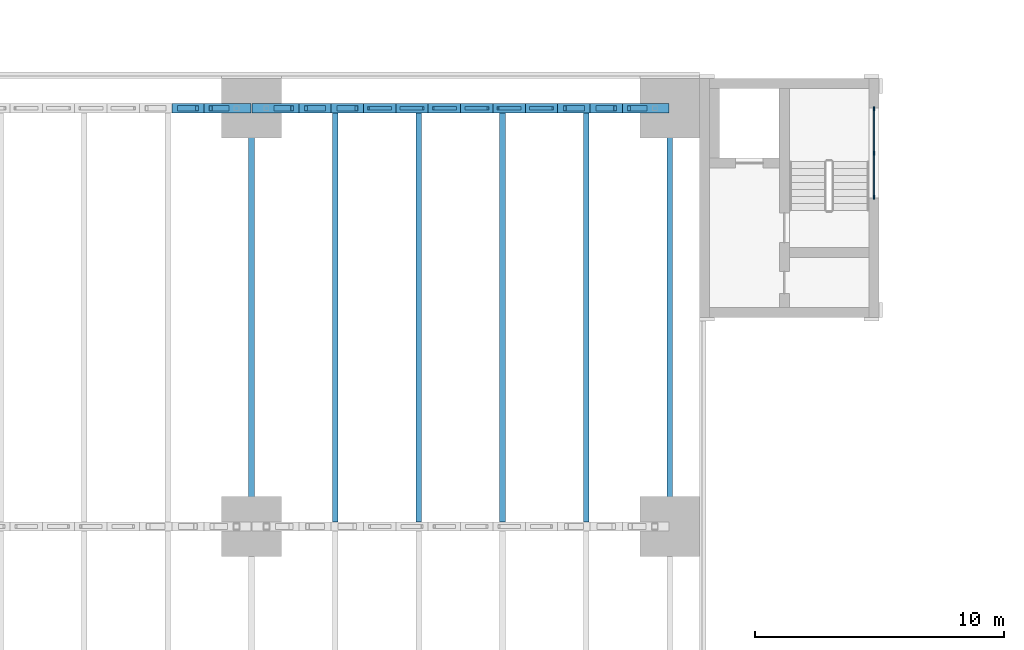
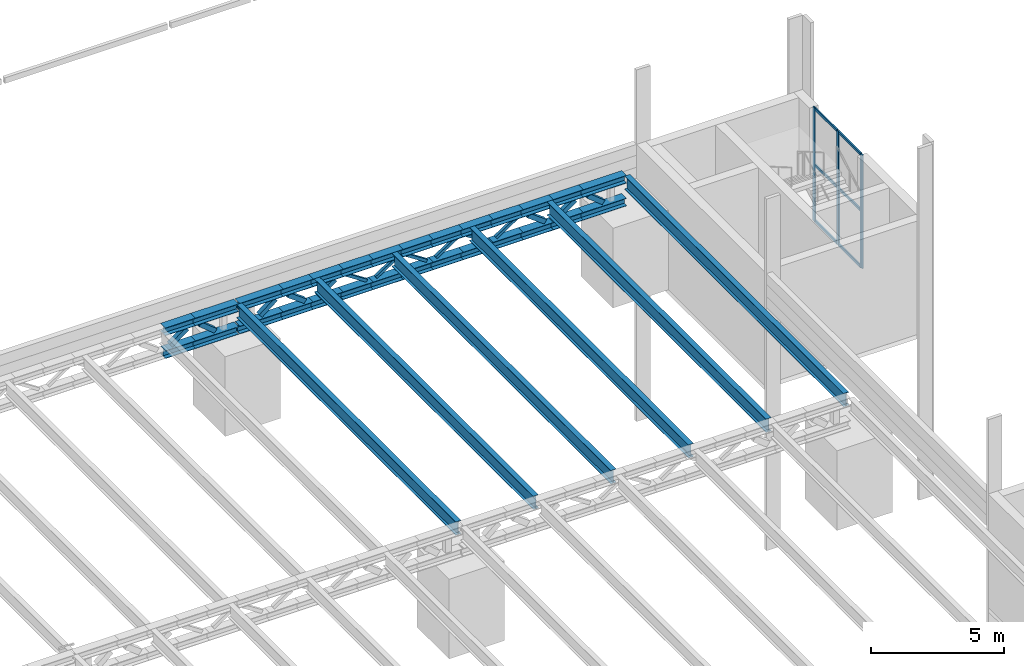
# One storey, part 35 of 93: 51 members, 6 beams, 1 element without a shape of its own.
"""IFC4 building model written with IfcOpenShell, lengths in metres."""

from ifc_helpers import new_model, si_unit, direction, frame, origin, origin_2d, place, context, subcontext, project, spatial, rectangle, hollow_rectangle, i_section, extrude, material, material_profile, profile_set, type_object, element, aggregate, save


model = new_model("IFC4")

# Units and contexts
model_context = context("Model", 3, precision=1e-05, world=origin(), true_north=direction((0.0, 1.0)))
body_context = subcontext(model_context, "Body", "Model", "MODEL_VIEW")
ifc_project = project(units=[si_unit("LENGTHUNIT", "METRE"), si_unit("AREAUNIT", "SQUARE_METRE"), si_unit("VOLUMEUNIT", "CUBIC_METRE"), si_unit("PLANEANGLEUNIT", "RADIAN"), si_unit("MASSUNIT", "GRAM", prefix="KILO")], contexts=[model_context])

# Site, building, storey
site_placement = place(None, origin())
site = spatial("IfcSite", under=ifc_project, at=site_placement, CompositionType="ELEMENT")
building_placement = place(site_placement, origin())
building = spatial("IfcBuilding", under=site, at=building_placement, Name="Verrick Yard Athletic Hall", CompositionType="ELEMENT")
storey_placement = place(building_placement, frame((0.0, 0.0, 8.800048828125)))
storey = spatial("IfcBuildingStorey", under=building, at=storey_placement, Name="L02", CompositionType="ELEMENT", Elevation=8.800048828125)

# Curtain wall, members
ifc_material_1 = material(Name="Aluminium 6063-T5", Category="aluminium")
curtain_wall_type = type_object("IfcCurtainWallType", Name="Core glazing strip", PredefinedType="NOTDEFINED", material=ifc_material_1)
curtain_wall_placement = place(storey_placement, origin())
curtain_wall = element("IfcCurtainWall", 1, at=curtain_wall_placement, inside=storey, type_object=curtain_wall_type, Name="CORE-CB4-CW-L02", PredefinedType="NOTDEFINED")
ifc_material_profile_1 = material_profile(ifc_material_1, rectangle(XDim=0.06005859375, YDim=0.159912109375, at=origin_2d()), Name="Core glazing mullion 60x160")
ifc_profile_set_1 = profile_set([ifc_material_profile_1], Name="Aluminium 6063-T5")
member_type_1 = type_object("IfcMemberType", Name="Core glazing mullion 60x160", PredefinedType="MULLION", material=ifc_profile_set_1)
member_1_placement = place(storey_placement, frame((165.800048828125, 49.22998046875, 0.0), z_axis=(0.0, 0.0, 1.0), x_axis=(-1.0, 0.0, 0.0)))
member_1 = element("IfcMember", 2, at=member_1_placement, type_object=member_type_1, Name="CW5 mullion 1", PredefinedType="MULLION", context=body_context, shape_type="SweptSolid", body=[
    extrude(rectangle(XDim=0.06005859375, YDim=0.159912109375, at=origin_2d()), origin(), (0.0, 0.0, 1.0), 5.199951171875),
])
member_2_placement = place(storey_placement, frame((165.800048828125, 51.0, 0.0), z_axis=(0.0, 0.0, 1.0), x_axis=(-1.0, 0.0, 0.0)))
member_2 = element("IfcMember", 3, at=member_2_placement, type_object=member_type_1, Name="CW5 mullion 2", PredefinedType="MULLION", context=body_context, shape_type="SweptSolid", body=[
    extrude(rectangle(XDim=0.06005859375, YDim=0.159912109375, at=origin_2d()), origin(), (0.0, 0.0, 1.0), 5.199951171875),
])
member_3_placement = place(storey_placement, frame((165.800048828125, 52.77001953125, 0.0), z_axis=(0.0, 0.0, 1.0), x_axis=(-1.0, 0.0, 0.0)))
member_3 = element("IfcMember", 4, at=member_3_placement, type_object=member_type_1, Name="CW5 mullion 3", PredefinedType="MULLION", context=body_context, shape_type="SweptSolid", body=[
    extrude(rectangle(XDim=0.06005859375, YDim=0.159912109375, at=origin_2d()), origin(), (0.0, 0.0, 1.0), 5.199951171875),
])
ifc_material_profile_2 = material_profile(ifc_material_1, rectangle(XDim=0.06005859375, YDim=0.1201171875, at=origin_2d()), Name="Core glazing transom 60x120")
ifc_profile_set_2 = profile_set([ifc_material_profile_2], Name="Aluminium 6063-T5")
member_type_2 = type_object("IfcMemberType", Name="Core glazing transom 60x120", PredefinedType="USERDEFINED", material=ifc_profile_set_2)
member_4_placement = place(storey_placement, frame((165.800048828125, 49.260009765625, 0.030029296875), z_axis=(0.0, 1.0, 0.0), x_axis=(-1.0, 0.0, 0.0)))
member_4 = element("IfcMember", 5, at=member_4_placement, type_object=member_type_2, Name="CW5 transom 1.1", ObjectType="TRANSOM", PredefinedType="USERDEFINED", context=body_context, shape_type="SweptSolid", body=[
    extrude(rectangle(XDim=0.06005859375, YDim=0.1201171875, at=origin_2d()), origin(), (0.0, 0.0, 1.0), 1.7099609375),
])
member_5_placement = place(storey_placement, frame((165.800048828125, 49.260009765625, 2.599853515625), z_axis=(0.0, 1.0, 0.0), x_axis=(-1.0, 0.0, 0.0)))
member_5 = element("IfcMember", 6, at=member_5_placement, type_object=member_type_2, Name="CW5 transom 1.2", ObjectType="TRANSOM", PredefinedType="USERDEFINED", context=body_context, shape_type="SweptSolid", body=[
    extrude(rectangle(XDim=0.06005859375, YDim=0.1201171875, at=origin_2d()), origin(), (0.0, 0.0, 1.0), 1.7099609375),
])
member_6_placement = place(storey_placement, frame((165.800048828125, 49.260009765625, 5.169921875), z_axis=(0.0, 1.0, 0.0), x_axis=(-1.0, 0.0, 0.0)))
member_6 = element("IfcMember", 7, at=member_6_placement, type_object=member_type_2, Name="CW5 transom 1.3", ObjectType="TRANSOM", PredefinedType="USERDEFINED", context=body_context, shape_type="SweptSolid", body=[
    extrude(rectangle(XDim=0.06005859375, YDim=0.1201171875, at=origin_2d()), origin(), (0.0, 0.0, 1.0), 1.7099609375),
])
member_7_placement = place(storey_placement, frame((165.800048828125, 51.030029296875, 0.030029296875), z_axis=(0.0, 1.0, 0.0), x_axis=(-1.0, 0.0, 0.0)))
member_7 = element("IfcMember", 8, at=member_7_placement, type_object=member_type_2, Name="CW5 transom 2.1", ObjectType="TRANSOM", PredefinedType="USERDEFINED", context=body_context, shape_type="SweptSolid", body=[
    extrude(rectangle(XDim=0.06005859375, YDim=0.1201171875, at=origin_2d()), origin(), (0.0, 0.0, 1.0), 1.7099609375),
])
member_8_placement = place(storey_placement, frame((165.800048828125, 51.030029296875, 2.599853515625), z_axis=(0.0, 1.0, 0.0), x_axis=(-1.0, 0.0, 0.0)))
member_8 = element("IfcMember", 9, at=member_8_placement, type_object=member_type_2, Name="CW5 transom 2.2", ObjectType="TRANSOM", PredefinedType="USERDEFINED", context=body_context, shape_type="SweptSolid", body=[
    extrude(rectangle(XDim=0.06005859375, YDim=0.1201171875, at=origin_2d()), origin(), (0.0, 0.0, 1.0), 1.7099609375),
])
member_9_placement = place(storey_placement, frame((165.800048828125, 51.030029296875, 5.169921875), z_axis=(0.0, 1.0, 0.0), x_axis=(-1.0, 0.0, 0.0)))
member_9 = element("IfcMember", 10, at=member_9_placement, type_object=member_type_2, Name="CW5 transom 2.3", ObjectType="TRANSOM", PredefinedType="USERDEFINED", context=body_context, shape_type="SweptSolid", body=[
    extrude(rectangle(XDim=0.06005859375, YDim=0.1201171875, at=origin_2d()), origin(), (0.0, 0.0, 1.0), 1.7099609375),
])
aggregate(curtain_wall, [member_1, member_2, member_3, member_4, member_5, member_6, member_7, member_8, member_9])

# Members
ifc_material_2 = material(Name="Structural steel 350W (CSA G40.21)", Category="steel")
ifc_material_profile_3 = material_profile(ifc_material_2, i_section(OverallWidth=0.368896484375, OverallDepth=0.35595703125, WebThickness=0.01123046875, FlangeThickness=0.01806640625, at=origin_2d()), Name="W360x134")
ifc_profile_set_3 = profile_set([ifc_material_profile_3], Name="Structural steel 350W (CSA G40.21)")
member_type_3 = type_object("IfcMemberType", Name="STR Edge truss bottom chord W360x134", PredefinedType="CHORD", material=ifc_profile_set_3)
member_10_placement = place(storey_placement, frame((137.60009765625, 52.800048828125, 3.827880859375), z_axis=(1.0, 0.0, 0.0), x_axis=(0.0, 1.0, 0.0)))
element("IfcMember", 11, at=member_10_placement, inside=storey, type_object=member_type_3, Name="STR-BC-GC6-11", PredefinedType="CHORD", context=body_context, shape_type="SweptSolid", body=[
    extrude(i_section(OverallWidth=0.368896484375, OverallDepth=0.35595703125, WebThickness=0.01123046875, FlangeThickness=0.01806640625, at=origin_2d()), origin(), (0.0, 0.0, 1.0), 1.2998046875),
])
for number, where, z_axis, x_axis, name in (
    (12, (138.89990234375, 52.800048828125, 3.827880859375), (1.0, 0.0, 0.0), (0.0, 1.0, 0.0), "STR-BC-GC6-12"),
    (13, (140.824951171875, 52.800048828125, 3.827880859375), (1.0, 0.0, 0.0), (0.0, 1.0, 0.0), "STR-BC-GC7-1"),
):
    element("IfcMember", number, at=place(storey_placement, frame(where, z_axis=z_axis, x_axis=x_axis)), inside=storey, type_object=member_type_3, Name=name, PredefinedType="CHORD", context=body_context, shape_type="SweptSolid", body=[
        extrude(i_section(OverallWidth=0.368896484375, OverallDepth=0.35595703125, WebThickness=0.01123046875, FlangeThickness=0.01806640625, at=origin_2d()), origin(), (0.0, 0.0, 1.0), 1.875),
    ])
for number, where, z_axis, x_axis, name in (
    (14, (142.699951171875, 52.800048828125, 3.827880859375), (1.0, 0.0, 0.0), (0.0, 1.0, 0.0), "STR-BC-GC7-2"),
    (15, (144.0, 52.800048828125, 3.827880859375), (1.0, 0.0, 0.0), (0.0, 1.0, 0.0), "STR-BC-GC7-3"),
    (16, (145.300048828125, 52.800048828125, 3.827880859375), (1.0, 0.0, 0.0), (0.0, 1.0, 0.0), "STR-BC-GC7-4"),
):
    element("IfcMember", number, at=place(storey_placement, frame(where, z_axis=z_axis, x_axis=x_axis)), inside=storey, type_object=member_type_3, Name=name, PredefinedType="CHORD", context=body_context, shape_type="SweptSolid", body=[
        extrude(i_section(OverallWidth=0.368896484375, OverallDepth=0.35595703125, WebThickness=0.01123046875, FlangeThickness=0.01806640625, at=origin_2d()), origin(), (0.0, 0.0, 1.0), 1.300048828125),
    ])
member_11_placement = place(storey_placement, frame((146.60009765625, 52.800048828125, 3.827880859375), z_axis=(1.0, 0.0, 0.0), x_axis=(0.0, 1.0, 0.0)))
element("IfcMember", 17, at=member_11_placement, inside=storey, type_object=member_type_3, Name="STR-BC-GC7-5", PredefinedType="CHORD", context=body_context, shape_type="SweptSolid", body=[
    extrude(i_section(OverallWidth=0.368896484375, OverallDepth=0.35595703125, WebThickness=0.01123046875, FlangeThickness=0.01806640625, at=origin_2d()), origin(), (0.0, 0.0, 1.0), 1.2998046875),
])
for number, where, z_axis, x_axis, name in (
    (18, (147.89990234375, 52.800048828125, 3.827880859375), (1.0, 0.0, 0.0), (0.0, 1.0, 0.0), "STR-BC-GC7-6"),
    (19, (149.199951171875, 52.800048828125, 3.827880859375), (1.0, 0.0, 0.0), (0.0, 1.0, 0.0), "STR-BC-GC7-7"),
    (20, (150.5, 52.800048828125, 3.827880859375), (1.0, 0.0, 0.0), (0.0, 1.0, 0.0), "STR-BC-GC7-8"),
    (21, (151.800048828125, 52.800048828125, 3.827880859375), (1.0, 0.0, 0.0), (0.0, 1.0, 0.0), "STR-BC-GC7-9"),
):
    element("IfcMember", number, at=place(storey_placement, frame(where, z_axis=z_axis, x_axis=x_axis)), inside=storey, type_object=member_type_3, Name=name, PredefinedType="CHORD", context=body_context, shape_type="SweptSolid", body=[
        extrude(i_section(OverallWidth=0.368896484375, OverallDepth=0.35595703125, WebThickness=0.01123046875, FlangeThickness=0.01806640625, at=origin_2d()), origin(), (0.0, 0.0, 1.0), 1.300048828125),
    ])
member_12_placement = place(storey_placement, frame((153.10009765625, 52.800048828125, 3.827880859375), z_axis=(1.0, 0.0, 0.0), x_axis=(0.0, 1.0, 0.0)))
element("IfcMember", 22, at=member_12_placement, inside=storey, type_object=member_type_3, Name="STR-BC-GC7-10", PredefinedType="CHORD", context=body_context, shape_type="SweptSolid", body=[
    extrude(i_section(OverallWidth=0.368896484375, OverallDepth=0.35595703125, WebThickness=0.01123046875, FlangeThickness=0.01806640625, at=origin_2d()), origin(), (0.0, 0.0, 1.0), 1.2998046875),
])
member_13_placement = place(storey_placement, frame((154.39990234375, 52.800048828125, 3.827880859375), z_axis=(1.0, 0.0, 0.0), x_axis=(0.0, 1.0, 0.0)))
element("IfcMember", 23, at=member_13_placement, inside=storey, type_object=member_type_3, Name="STR-BC-GC7-11", PredefinedType="CHORD", context=body_context, shape_type="SweptSolid", body=[
    extrude(i_section(OverallWidth=0.368896484375, OverallDepth=0.35595703125, WebThickness=0.01123046875, FlangeThickness=0.01806640625, at=origin_2d()), origin(), (0.0, 0.0, 1.0), 1.300048828125),
])
member_14_placement = place(storey_placement, frame((155.699951171875, 52.800048828125, 3.827880859375), z_axis=(1.0, 0.0, 0.0), x_axis=(0.0, 1.0, 0.0)))
element("IfcMember", 24, at=member_14_placement, inside=storey, type_object=member_type_3, Name="STR-BC-GC7-12", PredefinedType="CHORD", context=body_context, shape_type="SweptSolid", body=[
    extrude(i_section(OverallWidth=0.368896484375, OverallDepth=0.35595703125, WebThickness=0.01123046875, FlangeThickness=0.01806640625, at=origin_2d()), origin(), (0.0, 0.0, 1.0), 1.875),
])
ifc_material_profile_4 = material_profile(ifc_material_2, i_section(OverallWidth=0.368896484375, OverallDepth=0.35595703125, WebThickness=0.01123046875, FlangeThickness=0.01806640625, at=origin_2d()), Name="W360x134")
ifc_profile_set_4 = profile_set([ifc_material_profile_4], Name="Structural steel 350W (CSA G40.21)")
member_type_4 = type_object("IfcMemberType", Name="STR Edge truss top chord W360x134", PredefinedType="CHORD", material=ifc_profile_set_4)
member_15_placement = place(storey_placement, frame((137.60009765625, 52.800048828125, 4.8720703125), z_axis=(1.0, 0.0, 0.0), x_axis=(0.0, 1.0, 0.0)))
element("IfcMember", 25, at=member_15_placement, inside=storey, type_object=member_type_4, Name="STR-TC-GC6-11", PredefinedType="CHORD", context=body_context, shape_type="SweptSolid", body=[
    extrude(i_section(OverallWidth=0.368896484375, OverallDepth=0.35595703125, WebThickness=0.01123046875, FlangeThickness=0.01806640625, at=origin_2d()), origin(), (0.0, 0.0, 1.0), 1.2998046875),
])
for number, where, z_axis, x_axis, name in (
    (26, (138.89990234375, 52.800048828125, 4.8720703125), (1.0, 0.0, 0.0), (0.0, 1.0, 0.0), "STR-TC-GC6-12"),
    (27, (140.824951171875, 52.800048828125, 4.8720703125), (1.0, 0.0, 0.0), (0.0, 1.0, 0.0), "STR-TC-GC7-1"),
):
    element("IfcMember", number, at=place(storey_placement, frame(where, z_axis=z_axis, x_axis=x_axis)), inside=storey, type_object=member_type_4, Name=name, PredefinedType="CHORD", context=body_context, shape_type="SweptSolid", body=[
        extrude(i_section(OverallWidth=0.368896484375, OverallDepth=0.35595703125, WebThickness=0.01123046875, FlangeThickness=0.01806640625, at=origin_2d()), origin(), (0.0, 0.0, 1.0), 1.875),
    ])
for number, where, z_axis, x_axis, name in (
    (28, (142.699951171875, 52.800048828125, 4.8720703125), (1.0, 0.0, 0.0), (0.0, 1.0, 0.0), "STR-TC-GC7-2"),
    (29, (144.0, 52.800048828125, 4.8720703125), (1.0, 0.0, 0.0), (0.0, 1.0, 0.0), "STR-TC-GC7-3"),
    (30, (145.300048828125, 52.800048828125, 4.8720703125), (1.0, 0.0, 0.0), (0.0, 1.0, 0.0), "STR-TC-GC7-4"),
):
    element("IfcMember", number, at=place(storey_placement, frame(where, z_axis=z_axis, x_axis=x_axis)), inside=storey, type_object=member_type_4, Name=name, PredefinedType="CHORD", context=body_context, shape_type="SweptSolid", body=[
        extrude(i_section(OverallWidth=0.368896484375, OverallDepth=0.35595703125, WebThickness=0.01123046875, FlangeThickness=0.01806640625, at=origin_2d()), origin(), (0.0, 0.0, 1.0), 1.300048828125),
    ])
member_16_placement = place(storey_placement, frame((146.60009765625, 52.800048828125, 4.8720703125), z_axis=(1.0, 0.0, 0.0), x_axis=(0.0, 1.0, 0.0)))
element("IfcMember", 31, at=member_16_placement, inside=storey, type_object=member_type_4, Name="STR-TC-GC7-5", PredefinedType="CHORD", context=body_context, shape_type="SweptSolid", body=[
    extrude(i_section(OverallWidth=0.368896484375, OverallDepth=0.35595703125, WebThickness=0.01123046875, FlangeThickness=0.01806640625, at=origin_2d()), origin(), (0.0, 0.0, 1.0), 1.2998046875),
])
for number, where, z_axis, x_axis, name in (
    (32, (147.89990234375, 52.800048828125, 4.8720703125), (1.0, 0.0, 0.0), (0.0, 1.0, 0.0), "STR-TC-GC7-6"),
    (33, (149.199951171875, 52.800048828125, 4.8720703125), (1.0, 0.0, 0.0), (0.0, 1.0, 0.0), "STR-TC-GC7-7"),
    (34, (150.5, 52.800048828125, 4.8720703125), (1.0, 0.0, 0.0), (0.0, 1.0, 0.0), "STR-TC-GC7-8"),
    (35, (151.800048828125, 52.800048828125, 4.8720703125), (1.0, 0.0, 0.0), (0.0, 1.0, 0.0), "STR-TC-GC7-9"),
):
    element("IfcMember", number, at=place(storey_placement, frame(where, z_axis=z_axis, x_axis=x_axis)), inside=storey, type_object=member_type_4, Name=name, PredefinedType="CHORD", context=body_context, shape_type="SweptSolid", body=[
        extrude(i_section(OverallWidth=0.368896484375, OverallDepth=0.35595703125, WebThickness=0.01123046875, FlangeThickness=0.01806640625, at=origin_2d()), origin(), (0.0, 0.0, 1.0), 1.300048828125),
    ])
member_17_placement = place(storey_placement, frame((153.10009765625, 52.800048828125, 4.8720703125), z_axis=(1.0, 0.0, 0.0), x_axis=(0.0, 1.0, 0.0)))
element("IfcMember", 36, at=member_17_placement, inside=storey, type_object=member_type_4, Name="STR-TC-GC7-10", PredefinedType="CHORD", context=body_context, shape_type="SweptSolid", body=[
    extrude(i_section(OverallWidth=0.368896484375, OverallDepth=0.35595703125, WebThickness=0.01123046875, FlangeThickness=0.01806640625, at=origin_2d()), origin(), (0.0, 0.0, 1.0), 1.2998046875),
])
member_18_placement = place(storey_placement, frame((154.39990234375, 52.800048828125, 4.8720703125), z_axis=(1.0, 0.0, 0.0), x_axis=(0.0, 1.0, 0.0)))
element("IfcMember", 37, at=member_18_placement, inside=storey, type_object=member_type_4, Name="STR-TC-GC7-11", PredefinedType="CHORD", context=body_context, shape_type="SweptSolid", body=[
    extrude(i_section(OverallWidth=0.368896484375, OverallDepth=0.35595703125, WebThickness=0.01123046875, FlangeThickness=0.01806640625, at=origin_2d()), origin(), (0.0, 0.0, 1.0), 1.300048828125),
])
member_19_placement = place(storey_placement, frame((155.699951171875, 52.800048828125, 4.8720703125), z_axis=(1.0, 0.0, 0.0), x_axis=(0.0, 1.0, 0.0)))
element("IfcMember", 38, at=member_19_placement, inside=storey, type_object=member_type_4, Name="STR-TC-GC7-12", PredefinedType="CHORD", context=body_context, shape_type="SweptSolid", body=[
    extrude(i_section(OverallWidth=0.368896484375, OverallDepth=0.35595703125, WebThickness=0.01123046875, FlangeThickness=0.01806640625, at=origin_2d()), origin(), (0.0, 0.0, 1.0), 1.875),
])
ifc_material_3 = material(Name="Structural steel HSS Class C 350W (CSA G40.20/G40.21)", Category="steel")
ifc_material_profile_5 = material_profile(ifc_material_3, hollow_rectangle(XDim=0.126953125, YDim=0.126953125, WallThickness=0.009521484375, at=origin_2d()), Name="HSS127x127x9.5")
ifc_profile_set_5 = profile_set([ifc_material_profile_5], Name="Structural steel HSS Class C 350W (CSA G40.20/G40.21)")
member_type_5 = type_object("IfcMemberType", Name="STR Edge truss web HSS127x127x9.5", PredefinedType="BRACE", material=ifc_profile_set_5)
member_20_placement = place(storey_placement, frame((145.50244140625, 52.800048828125, 4.641357421875), z_axis=(0.838083139624, 0.0, -0.54554252912), x_axis=(0.0, 1.0, 0.0)))
element("IfcMember", 39, at=member_20_placement, inside=storey, type_object=member_type_5, Name="STR-TW-GC7-4", PredefinedType="BRACE", context=body_context, shape_type="SweptSolid", body=[
    extrude(hollow_rectangle(XDim=0.126953125, YDim=0.126953125, WallThickness=0.009521484375, at=origin_2d()), origin(), (0.0, 0.0, 1.0), 1.068115234375),
])
member_21_placement = place(storey_placement, frame((146.80224609375, 52.800048828125, 4.05859375), z_axis=(0.838151139583, 0.0, 0.545438050759), x_axis=(0.0, 1.0, 0.0)))
element("IfcMember", 40, at=member_21_placement, inside=storey, type_object=member_type_5, Name="STR-TW-GC7-5", PredefinedType="BRACE", context=body_context, shape_type="SweptSolid", body=[
    extrude(hollow_rectangle(XDim=0.126953125, YDim=0.126953125, WallThickness=0.009521484375, at=origin_2d()), origin(), (0.0, 0.0, 1.0), 1.068359375),
])
for number, where, z_axis, x_axis, name in (
    (41, (148.102294921875, 52.800048828125, 4.641357421875), (0.838083139624, 0.0, -0.54554252912), (0.0, 1.0, 0.0), "STR-TW-GC7-6"),
    (42, (149.40234375, 52.800048828125, 4.05859375), (0.838083139624, 0.0, 0.54554252912), (0.0, 1.0, 0.0), "STR-TW-GC7-7"),
    (43, (150.702392578125, 52.800048828125, 4.641357421875), (0.838083139624, 0.0, -0.54554252912), (0.0, 1.0, 0.0), "STR-TW-GC7-8"),
    (44, (152.00244140625, 52.800048828125, 4.05859375), (0.838083139624, 0.0, 0.54554252912), (0.0, 1.0, 0.0), "STR-TW-GC7-9"),
):
    element("IfcMember", number, at=place(storey_placement, frame(where, z_axis=z_axis, x_axis=x_axis)), inside=storey, type_object=member_type_5, Name=name, PredefinedType="BRACE", context=body_context, shape_type="SweptSolid", body=[
        extrude(hollow_rectangle(XDim=0.126953125, YDim=0.126953125, WallThickness=0.009521484375, at=origin_2d()), origin(), (0.0, 0.0, 1.0), 1.068115234375),
    ])
ifc_material_profile_6 = material_profile(ifc_material_3, hollow_rectangle(XDim=0.203125, YDim=0.203125, WallThickness=0.0126953125, at=origin_2d()), Name="HSS203x203x13")
ifc_profile_set_6 = profile_set([ifc_material_profile_6], Name="Structural steel HSS Class C 350W (CSA G40.20/G40.21)")
member_type_6 = type_object("IfcMemberType", Name="STR Edge truss web HSS203x203x13", PredefinedType="BRACE", material=ifc_profile_set_6)
member_22_placement = place(storey_placement, frame((137.8896484375, 52.800048828125, 4.08740234375), z_axis=(0.808333297144, 0.0, 0.588725131728), x_axis=(0.0, 1.0, 0.0)))
element("IfcMember", 45, at=member_22_placement, inside=storey, type_object=member_type_6, Name="STR-TW-GC6-11", PredefinedType="BRACE", context=body_context, shape_type="SweptSolid", body=[
    extrude(hollow_rectangle(XDim=0.203125, YDim=0.203125, WallThickness=0.0126953125, at=origin_2d()), origin(), (0.0, 0.0, 1.0), 0.8916015625),
])
member_23_placement = place(storey_placement, frame((139.16552734375, 52.800048828125, 4.615234375), z_axis=(0.780503800734, 0.0, -0.625151035383), x_axis=(0.0, 1.0, 0.0)))
element("IfcMember", 46, at=member_23_placement, inside=storey, type_object=member_type_6, Name="STR-TW-GC6-12", PredefinedType="BRACE", context=body_context, shape_type="SweptSolid", body=[
    extrude(hollow_rectangle(XDim=0.203125, YDim=0.203125, WallThickness=0.0126953125, at=origin_2d()), origin(), (0.0, 0.0, 1.0), 0.8486328125),
])
member_24_placement = place(storey_placement, frame((141.772216796875, 52.800048828125, 4.084716796875), z_axis=(0.780391329508, 0.0, 0.625291430318), x_axis=(0.0, 1.0, 0.0)))
element("IfcMember", 47, at=member_24_placement, inside=storey, type_object=member_type_6, Name="STR-TW-GC7-1", PredefinedType="BRACE", context=body_context, shape_type="SweptSolid", body=[
    extrude(hollow_rectangle(XDim=0.203125, YDim=0.203125, WallThickness=0.0126953125, at=origin_2d()), origin(), (0.0, 0.0, 1.0), 0.848388671875),
])
for number, where, z_axis, x_axis, name in (
    (48, (142.989501953125, 52.800048828125, 4.6123046875), (0.808428172865, 0.0, -0.588594843095), (0.0, 1.0, 0.0), "STR-TW-GC7-2"),
    (49, (144.28955078125, 52.800048828125, 4.08740234375), (0.808428172865, 0.0, 0.588594843095), (0.0, 1.0, 0.0), "STR-TW-GC7-3"),
):
    element("IfcMember", number, at=place(storey_placement, frame(where, z_axis=z_axis, x_axis=x_axis)), inside=storey, type_object=member_type_6, Name=name, PredefinedType="BRACE", context=body_context, shape_type="SweptSolid", body=[
        extrude(hollow_rectangle(XDim=0.203125, YDim=0.203125, WallThickness=0.0126953125, at=origin_2d()), origin(), (0.0, 0.0, 1.0), 0.891845703125),
    ])
for number, where, z_axis, x_axis, name in (
    (50, (153.3896484375, 52.800048828125, 4.6123046875), (0.808333297144, 0.0, -0.588725131728), (0.0, 1.0, 0.0), "STR-TW-GC7-10"),
    (51, (154.689697265625, 52.800048828125, 4.08740234375), (0.808333297144, 0.0, 0.588725131728), (0.0, 1.0, 0.0), "STR-TW-GC7-11"),
):
    element("IfcMember", number, at=place(storey_placement, frame(where, z_axis=z_axis, x_axis=x_axis)), inside=storey, type_object=member_type_6, Name=name, PredefinedType="BRACE", context=body_context, shape_type="SweptSolid", body=[
        extrude(hollow_rectangle(XDim=0.203125, YDim=0.203125, WallThickness=0.0126953125, at=origin_2d()), origin(), (0.0, 0.0, 1.0), 0.8916015625),
    ])
member_25_placement = place(storey_placement, frame((155.965576171875, 52.800048828125, 4.615234375), z_axis=(0.780391329508, 0.0, -0.625291430318), x_axis=(0.0, 1.0, 0.0)))
element("IfcMember", 52, at=member_25_placement, inside=storey, type_object=member_type_6, Name="STR-TW-GC7-12", PredefinedType="BRACE", context=body_context, shape_type="SweptSolid", body=[
    extrude(hollow_rectangle(XDim=0.203125, YDim=0.203125, WallThickness=0.0126953125, at=origin_2d()), origin(), (0.0, 0.0, 1.0), 0.848388671875),
])

# Beams
ifc_material_profile_7 = material_profile(ifc_material_2, i_section(OverallWidth=0.22802734375, OverallDepth=0.60791015625, WebThickness=0.01123046875, FlangeThickness=0.017333984375, at=origin_2d()), Name="W610x113")
ifc_profile_set_7 = profile_set([ifc_material_profile_7], Name="Structural steel 350W (CSA G40.21)")
beam_type = type_object("IfcBeamType", Name="STR Secondary beam W610x113", PredefinedType="BEAM", material=ifc_profile_set_7)
for number, where, z_axis, x_axis, name in (
    (53, (144.159912109375, 36.18701171875, 4.745849609375), (0.0, 1.0, 0.0), (-1.0, 0.0, 0.0), "STR-SB-S271"),
    (54, (147.52001953125, 36.18701171875, 4.745849609375), (0.0, 1.0, 0.0), (-1.0, 0.0, 0.0), "STR-SB-S272"),
    (55, (150.8798828125, 36.18701171875, 4.745849609375), (0.0, 1.0, 0.0), (-1.0, 0.0, 0.0), "STR-SB-S273"),
    (56, (154.239990234375, 36.18701171875, 4.745849609375), (0.0, 1.0, 0.0), (-1.0, 0.0, 0.0), "STR-SB-S274"),
    (57, (140.800048828125, 36.18701171875, 4.745849609375), (0.0, 1.0, 0.0), (-1.0, 0.0, 0.0), "STR-SB-X7B"),
    (58, (157.60009765625, 36.18701171875, 4.745849609375), (0.0, 1.0, 0.0), (-1.0, 0.0, 0.0), "STR-SB-X8B"),
):
    element("IfcBeam", number, at=place(storey_placement, frame(where, z_axis=z_axis, x_axis=x_axis)), inside=storey, type_object=beam_type, Name=name, PredefinedType="BEAM", context=body_context, shape_type="SweptSolid", body=[
        extrude(i_section(OverallWidth=0.22802734375, OverallDepth=0.60791015625, WebThickness=0.01123046875, FlangeThickness=0.017333984375, at=origin_2d()), origin(), (0.0, 0.0, 1.0), 16.428466796875),
    ])

save(model, "model.ifc")
